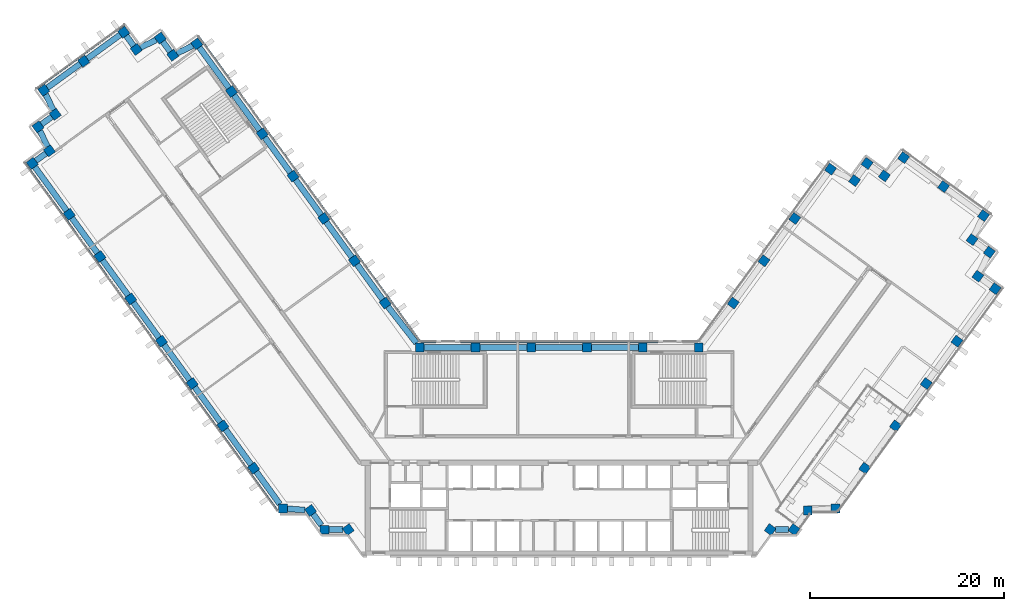
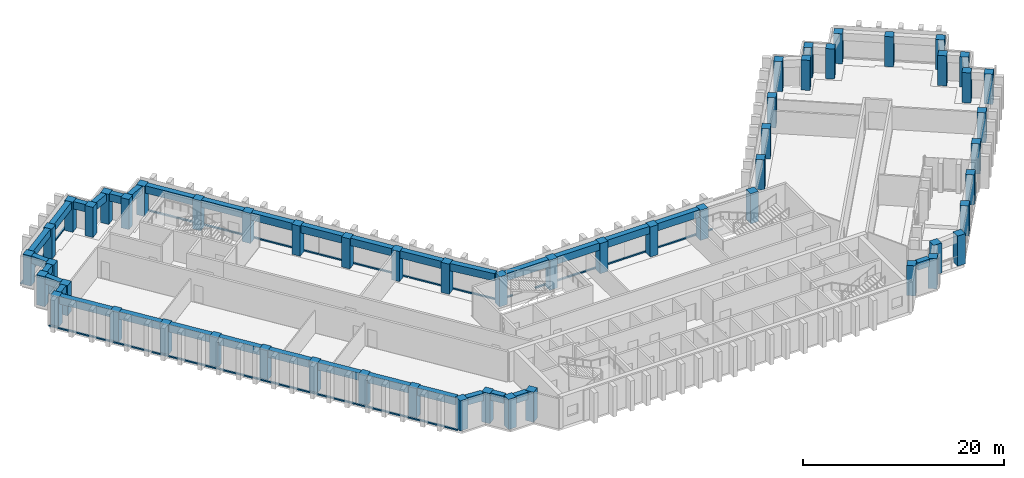
"""IFC4 building model written with IfcOpenShell, lengths in metres."""

from ifc_helpers import new_model, si_unit, direction, frame, origin, origin_2d, place, context, subcontext, project, spatial, rectangle, extrude, material, material_profile, profile_set, type_object, element, aggregate, save


model = new_model("IFC4")

# Units and contexts
model_context = context("Model", 3, precision=1e-05, world=origin(), true_north=direction((0.0, 1.0)))
body_context = subcontext(model_context, "Body", "Model", "MODEL_VIEW")
ifc_project = project(units=[si_unit("LENGTHUNIT", "METRE"), si_unit("AREAUNIT", "SQUARE_METRE"), si_unit("VOLUMEUNIT", "CUBIC_METRE"), si_unit("PLANEANGLEUNIT", "RADIAN"), si_unit("MASSUNIT", "GRAM", prefix="KILO")], contexts=[model_context])

# Site, building, storey
site_placement = place(None, origin())
site = spatial("IfcSite", under=ifc_project, at=site_placement, CompositionType="ELEMENT")
building_placement = place(site_placement, origin())
building = spatial("IfcBuilding", under=site, at=building_placement, Name="Quipu Civic Tower", CompositionType="ELEMENT")
storey_1_placement = place(building_placement, frame((0.0, 0.0, 105.0)))
storey_1 = spatial("IfcBuildingStorey", under=building, at=storey_1_placement, Name="L24", CompositionType="ELEMENT", Elevation=105.0)

# Columns
ifc_material_1 = material(Name="Concrete C60/75", Category="concrete")
ifc_material_profile_1 = material_profile(ifc_material_1, rectangle(XDim=0.89990234375, YDim=0.89990234375, at=origin_2d()), Name="RC900x900")
ifc_profile_set_1 = profile_set([ifc_material_profile_1], Name="Concrete C60/75")
column_type = type_object("IfcColumnType", Name="Perimeter column RC 900x900 C60/75", PredefinedType="COLUMN", material=ifc_profile_set_1)
for number, where, z_axis, x_axis, name in (
    (1, (-17.9736328125, 15.074951171875, 0.0), (0.0, 0.0, 1.0), (-0.587785252292, 0.809016994375, 0.0), "Column L24 W-IN-01"),
    (2, (-21.1474609375, 19.44384765625, 0.0), (0.0, 0.0, 1.0), (-0.587785252292, 0.809016994375, 0.0), "Column L24 W-IN-02"),
    (3, (-24.3212890625, 23.8125, 0.0), (0.0, 0.0, 1.0), (-0.587785252292, 0.809016994375, 0.0), "Column L24 W-IN-03"),
    (4, (-27.4951171875, 28.181396484375, 0.0), (0.0, 0.0, 1.0), (-0.587785252292, 0.809016994375, 0.0), "Column L24 W-IN-04"),
    (5, (-30.6689453125, 32.55029296875, 0.0), (0.0, 0.0, 1.0), (-0.587785252292, 0.809016994375, 0.0), "Column L24 W-IN-05"),
    (6, (-33.843017578125, 36.919189453125, 0.0), (0.0, 0.0, 1.0), (-0.587785252292, 0.809016994375, 0.0), "Column L24 W-IN-06"),
    (7, (-37.425048828125, 41.85009765625, 0.0), (0.0, 0.0, 1.0), (-0.587785252292, 0.809016994375, 0.0), "Column L24 T-Wi.0-W50"),
    (8, (-39.905517578125, 40.666015625, 0.0), (0.0, 0.0, 1.0), (-0.587785252292, 0.809016994375, 0.0), "Column L24 T-Wi.1-W50"),
    (9, (-41.199951171875, 42.445068359375, 0.0), (0.0, 0.0, 1.0), (-0.587785252292, 0.809016994375, 0.0), "Column L24 T-Wi.2-W50"),
    (10, (-43.674560546875, 41.264892578125, 0.0), (0.0, 0.0, 1.0), (-0.809016994375, -0.587785252292, 0.0), "Column L24 T-Wi.3-W50"),
    (11, (-44.969970703125, 43.044921875, 0.0), (0.0, 0.0, 1.0), (-0.809016994375, -0.587785252292, 0.0), "Column L24 T-Wi.4-W50"),
    (12, (-49.095703125, 40.046875, 0.0), (0.0, 0.0, 1.0), (-0.809016994375, -0.587785252292, 0.0), "Column L24 TIP-W-01-W50"),
    (13, (-53.219970703125, 37.050048828125, 0.0), (0.0, 0.0, 1.0), (0.587785252292, -0.809016994375, 0.0), "Column L24 T-Wo.0-W50"),
    (14, (-52.038818359375, 34.571044921875, 0.0), (0.0, 0.0, 1.0), (-0.809016994375, -0.587785252292, 0.0), "Column L24 T-Wo.1-W50"),
    (15, (-53.820068359375, 33.27490234375, 0.0), (0.0, 0.0, 1.0), (0.587785252292, -0.809016994375, 0.0), "Column L24 T-Wo.2-W50"),
    (16, (-52.635986328125, 30.799560546875, 0.0), (0.0, 0.0, 1.0), (-0.809016994375, -0.587785252292, 0.0), "Column L24 T-Wo.3-W50"),
    (17, (-54.4150390625, 29.5048828125, 0.0), (0.0, 0.0, 1.0), (0.587785252292, -0.809016994375, 0.0), "Column L24 T-Wo.4-W50"),
    (18, (-50.59228515625, 24.243408203125, 0.0), (0.0, 0.0, 1.0), (0.587785252292, -0.809016994375, 0.0), "Column L24 W-OUT-07"),
    (19, (-47.41845703125, 19.874755859375, 0.0), (0.0, 0.0, 1.0), (0.587785252292, -0.809016994375, 0.0), "Column L24 W-OUT-06"),
    (20, (-44.244384765625, 15.506103515625, 0.0), (0.0, 0.0, 1.0), (0.587785252292, -0.809016994375, 0.0), "Column L24 W-OUT-05"),
    (21, (-41.0703125, 11.137451171875, 0.0), (0.0, 0.0, 1.0), (0.587785252292, -0.809016994375, 0.0), "Column L24 W-OUT-04"),
    (22, (-37.896240234375, 6.768798828125, 0.0), (0.0, 0.0, 1.0), (0.587785252292, -0.809016994375, 0.0), "Column L24 W-OUT-03"),
    (23, (-34.722412109375, 2.39990234375, 0.0), (0.0, 0.0, 1.0), (0.587785252292, -0.809016994375, 0.0), "Column L24 W-OUT-02"),
    (24, (-31.54833984375, -1.96875, 0.0), (0.0, 0.0, 1.0), (0.587785252292, -0.809016994375, 0.0), "Column L24 W-OUT-01"),
    (25, (-28.52490234375, -6.1298828125, 0.0), (0.0, 0.0, 1.0), (1.0, 0.0, 0.0), "Column L24 J-Wo.0"),
    (26, (-25.67431640625, -6.3369140625, 0.0), (0.0, 0.0, 1.0), (0.587785252292, -0.809016994375, 0.0), "Column L24 J-Wo.1"),
    (27, (-24.235107421875, -8.31494140625, 0.0), (0.0, 0.0, 1.0), (1.0, 0.0, 0.0), "Column L24 J-Wo.2"),
    (28, (-21.791748046875, -8.31494140625, 0.0), (0.0, 0.0, 1.0), (0.587785252292, -0.809016994375, 0.0), "Column L24 J-Wo.3"),
    (29, (21.791748046875, -8.31494140625, 0.0), (0.0, 0.0, 1.0), (0.587785252292, 0.809016994375, 0.0), "Column L24 J-Eo.1"),
    (30, (24.235107421875, -8.31494140625, 0.0), (0.0, 0.0, 1.0), (0.587785252292, 0.809016994375, 0.0), "Column L24 J-Eo.2"),
    (31, (25.67431640625, -6.3369140625, 0.0), (0.0, 0.0, 1.0), (1.0, 0.0, 0.0), "Column L24 J-Eo.3"),
    (32, (28.52490234375, -6.1298828125, 0.0), (0.0, 0.0, 1.0), (1.0, 0.0, 0.0), "Column L24 J-Eo.4"),
    (33, (31.54833984375, -1.96875, 0.0), (0.0, 0.0, 1.0), (0.587785252292, 0.809016994375, 0.0), "Column L24 E-OUT-01"),
    (34, (34.722412109375, 2.39990234375, 0.0), (0.0, 0.0, 1.0), (0.587785252292, 0.809016994375, 0.0), "Column L24 E-OUT-02"),
    (35, (37.896240234375, 6.768798828125, 0.0), (0.0, 0.0, 1.0), (0.587785252292, 0.809016994375, 0.0), "Column L24 E-OUT-03"),
    (36, (41.0703125, 11.137451171875, 0.0), (0.0, 0.0, 1.0), (0.587785252292, 0.809016994375, 0.0), "Column L24 E-OUT-04"),
    (37, (45.010009765625, 16.56005859375, 0.0), (0.0, 0.0, 1.0), (0.587785252292, 0.809016994375, 0.0), "Column L24 T-Eo.0-E34"),
    (38, (43.23095703125, 17.8544921875, 0.0), (0.0, 0.0, 1.0), (0.587785252292, 0.809016994375, 0.0), "Column L24 T-Eo.1-E34"),
    (39, (44.4150390625, 20.3349609375, 0.0), (0.0, 0.0, 1.0), (0.587785252292, 0.809016994375, 0.0), "Column L24 T-Eo.2-E34"),
    (40, (42.635009765625, 21.626220703125, 0.0), (0.0, 0.0, 1.0), (-0.809016994375, 0.587785252292, 0.0), "Column L24 T-Eo.3-E34"),
    (41, (43.81494140625, 24.10498046875, 0.0), (0.0, 0.0, 1.0), (-0.809016994375, 0.587785252292, 0.0), "Column L24 T-Eo.4-E34"),
    (42, (39.690673828125, 27.10205078125, 0.0), (0.0, 0.0, 1.0), (-0.809016994375, 0.587785252292, 0.0), "Column L24 TIP-E-01-E34"),
    (43, (35.56494140625, 30.10009765625, 0.0), (0.0, 0.0, 1.0), (-0.587785252292, -0.809016994375, 0.0), "Column L24 T-Ei.0-E34"),
    (44, (33.573974609375, 28.20947265625, 0.0), (0.0, 0.0, 1.0), (-0.809016994375, 0.587785252292, 0.0), "Column L24 T-Ei.1-E34"),
    (45, (31.794921875, 29.5, 0.0), (0.0, 0.0, 1.0), (-0.587785252292, -0.809016994375, 0.0), "Column L24 T-Ei.2-E34"),
    (46, (30.498779296875, 27.72265625, 0.0), (0.0, 0.0, 1.0), (-0.809016994375, 0.587785252292, 0.0), "Column L24 T-Ei.3-E34"),
    (47, (28.02001953125, 28.905029296875, 0.0), (0.0, 0.0, 1.0), (-0.809016994375, 0.587785252292, 0.0), "Column L24 T-Ei.4-E34"),
    (48, (24.3212890625, 23.8125, 0.0), (0.0, 0.0, 1.0), (-0.587785252292, -0.809016994375, 0.0), "Column L24 E-IN-03"),
    (49, (21.1474609375, 19.44384765625, 0.0), (0.0, 0.0, 1.0), (-0.587785252292, -0.809016994375, 0.0), "Column L24 E-IN-02"),
    (50, (17.9736328125, 15.074951171875, 0.0), (0.0, 0.0, 1.0), (-0.587785252292, -0.809016994375, 0.0), "Column L24 E-IN-01"),
    (51, (14.395263671875, 10.5, 0.0), (0.0, 0.0, 1.0), (-1.0, 0.0, 0.0), "Column L24 J-Ei.0"),
    (52, (8.63720703125, 10.5, 0.0), (0.0, 0.0, 1.0), (-1.0, 0.0, 0.0), "Column L24 FRONT-01"),
    (53, (2.87890625, 10.5, 0.0), (0.0, 0.0, 1.0), (-1.0, 0.0, 0.0), "Column L24 FRONT-02"),
    (54, (-2.87890625, 10.5, 0.0), (0.0, 0.0, 1.0), (-1.0, 0.0, 0.0), "Column L24 FRONT-03"),
    (55, (-8.63720703125, 10.5, 0.0), (0.0, 0.0, 1.0), (-1.0, 0.0, 0.0), "Column L24 FRONT-04"),
    (56, (-14.395263671875, 10.5, 0.0), (0.0, 0.0, 1.0), (-1.0, 0.0, 0.0), "Column L24 J-Wi.0"),
):
    element("IfcColumn", number, at=place(storey_1_placement, frame(where, z_axis=z_axis, x_axis=x_axis)), inside=storey_1, type_object=column_type, Name=name, PredefinedType="COLUMN", context=body_context, shape_type="SweptSolid", body=[
        extrude(rectangle(XDim=0.89990234375, YDim=0.89990234375, at=origin_2d()), origin(), (0.0, 0.0, 1.0), 3.64990234375),
    ])

# Beams
ifc_material_2 = material(Name="Concrete C50/60", Category="concrete")
ifc_material_profile_2 = material_profile(ifc_material_2, rectangle(XDim=0.60009765625, YDim=0.89990234375, at=origin_2d()), Name="RC600x900")
ifc_profile_set_2 = profile_set([ifc_material_profile_2], Name="Concrete C50/60")
beam_type = type_object("IfcBeamType", Name="Spandrel beam RC 600x900 C50/60", PredefinedType="SPANDREL", material=ifc_profile_set_2)
for number, where, z_axis, x_axis, name in (
    (57, (-18.238037109375, 15.43896484375, 3.199951171875), (-0.587716763865, 0.809066749701, 0.0), (-0.809066749701, -0.587716763865, 0.0), "Spandrel beam L24 W-IN-01 to W-IN-02"),
    (58, (-21.411865234375, 19.807861328125, 3.199951171875), (-0.587778073121, 0.809022210299, 0.0), (-0.809022210299, -0.587778073121, 0.0), "Spandrel beam L24 W-IN-02 to W-IN-03"),
    (59, (-24.585693359375, 24.1767578125, 3.199951171875), (-0.587778073121, 0.809022210299, 0.0), (-0.809022210299, -0.587778073121, 0.0), "Spandrel beam L24 W-IN-03 to W-IN-04"),
    (60, (-27.759765625, 28.545654296875, 3.199951171875), (-0.587742561851, 0.809048009076, 0.0), (-0.809048009076, -0.587742561851, 0.0), "Spandrel beam L24 W-IN-04 to W-IN-05"),
    (61, (-30.93359375, 32.914306640625, 3.199951171875), (-0.587716763865, 0.809066749701, 0.0), (-0.809066749701, -0.587716763865, 0.0), "Spandrel beam L24 W-IN-05 to W-IN-06"),
):
    element("IfcBeam", number, at=place(storey_1_placement, frame(where, z_axis=z_axis, x_axis=x_axis)), inside=storey_1, type_object=beam_type, Name=name, PredefinedType="SPANDREL", context=body_context, shape_type="SweptSolid", body=[
        extrude(rectangle(XDim=0.60009765625, YDim=0.89990234375, at=origin_2d()), origin(), (0.0, 0.0, 1.0), 4.5),
    ])
beam_1_placement = place(storey_1_placement, frame((-34.107421875, 37.283203125, 3.199951171875), z_axis=(-0.587732861365, 0.80905505602, 0.0), x_axis=(-0.80905505602, -0.587732861365, 0.0)))
element("IfcBeam", 62, at=beam_1_placement, inside=storey_1, type_object=beam_type, Name="Spandrel beam L24 W-IN-06 to T-Wi.0-W50", PredefinedType="SPANDREL", context=body_context, shape_type="SweptSolid", body=[
    extrude(rectangle(XDim=0.60009765625, YDim=0.89990234375, at=origin_2d()), origin(), (0.0, 0.0, 1.0), 5.194580078125),
])
beam_2_placement = place(storey_1_placement, frame((-37.837890625, 41.65283203125, 3.199951171875), z_axis=(-0.90245397739, -0.430786279601, 0.0), x_axis=(0.430786279601, -0.90245397739, 0.0)))
element("IfcBeam", 63, at=beam_2_placement, inside=storey_1, type_object=beam_type, Name="Spandrel beam L24 T-Wi.0-W50 to T-Wi.1-W50", PredefinedType="SPANDREL", context=body_context, shape_type="SweptSolid", body=[
    extrude(rectangle(XDim=0.60009765625, YDim=0.89990234375, at=origin_2d()), origin(), (0.0, 0.0, 1.0), 1.83349609375),
])
beam_3_placement = place(storey_1_placement, frame((-40.170166015625, 41.02978515625, 3.199951171875), z_axis=(-0.588461937499, 0.808524921146, 0.0), x_axis=(-0.808524921146, -0.588461937499, 0.0)))
element("IfcBeam", 64, at=beam_3_placement, inside=storey_1, type_object=beam_type, Name="Spandrel beam L24 T-Wi.1-W50 to T-Wi.2-W50", PredefinedType="SPANDREL", context=body_context, shape_type="SweptSolid", body=[
    extrude(rectangle(XDim=0.60009765625, YDim=0.89990234375, at=origin_2d()), origin(), (0.0, 0.0, 1.0), 1.30029296875),
])
beam_4_placement = place(storey_1_placement, frame((-41.613037109375, 42.248046875, 3.199951171875), z_axis=(-0.902613270121, -0.430452418511, 0.0), x_axis=(0.430452418511, -0.902613270121, 0.0)))
element("IfcBeam", 65, at=beam_4_placement, inside=storey_1, type_object=beam_type, Name="Spandrel beam L24 T-Wi.2-W50 to T-Wi.3-W50", PredefinedType="SPANDREL", context=body_context, shape_type="SweptSolid", body=[
    extrude(rectangle(XDim=0.60009765625, YDim=0.89990234375, at=origin_2d()), origin(), (0.0, 0.0, 1.0), 1.826416015625),
])
beam_5_placement = place(storey_1_placement, frame((-43.939453125, 41.628662109375, 3.199951171875), z_axis=(-0.588383572423, 0.808581951136, 0.0), x_axis=(-0.808581951136, -0.588383572423, 0.0)))
element("IfcBeam", 66, at=beam_5_placement, inside=storey_1, type_object=beam_type, Name="Spandrel beam L24 T-Wi.3-W50 to T-Wi.4-W50", PredefinedType="SPANDREL", context=body_context, shape_type="SweptSolid", body=[
    extrude(rectangle(XDim=0.60009765625, YDim=0.89990234375, at=origin_2d()), origin(), (0.0, 0.0, 1.0), 1.3017578125),
])
beam_6_placement = place(storey_1_placement, frame((-45.333984375, 42.780517578125, 3.199951171875), z_axis=(-0.808969789945, -0.58785021813, 0.0), x_axis=(0.58785021813, -0.808969789945, 0.0)))
element("IfcBeam", 67, at=beam_6_placement, inside=storey_1, type_object=beam_type, Name="Spandrel beam L24 T-Wi.4-W50 to TIP-W-01-W50", PredefinedType="SPANDREL", context=body_context, shape_type="SweptSolid", body=[
    extrude(rectangle(XDim=0.60009765625, YDim=0.89990234375, at=origin_2d()), origin(), (0.0, 0.0, 1.0), 4.199951171875),
])
beam_7_placement = place(storey_1_placement, frame((-49.459716796875, 39.782470703125, 3.199951171875), z_axis=(-0.808959834407, -0.587863918196, 0.0), x_axis=(0.587863918196, -0.808959834407, 0.0)))
element("IfcBeam", 68, at=beam_7_placement, inside=storey_1, type_object=beam_type, Name="Spandrel beam L24 TIP-W-01-W50 to T-Wo.0-W50", PredefinedType="SPANDREL", context=body_context, shape_type="SweptSolid", body=[
    extrude(rectangle(XDim=0.60009765625, YDim=0.89990234375, at=origin_2d()), origin(), (0.0, 0.0, 1.0), 4.1982421875),
])
beam_8_placement = place(storey_1_placement, frame((-53.023193359375, 36.63671875, 3.199951171875), z_axis=(0.430166558323, -0.902749540072, 0.0), x_axis=(0.902749540072, 0.430166558323, 0.0)))
element("IfcBeam", 69, at=beam_8_placement, inside=storey_1, type_object=beam_type, Name="Spandrel beam L24 T-Wo.0-W50 to T-Wo.1-W50", PredefinedType="SPANDREL", context=body_context, shape_type="SweptSolid", body=[
    extrude(rectangle(XDim=0.60009765625, YDim=0.89990234375, at=origin_2d()), origin(), (0.0, 0.0, 1.0), 1.830322265625),
])
beam_9_placement = place(storey_1_placement, frame((-52.40283203125, 34.306396484375, 3.199951171875), z_axis=(-0.808509099783, -0.588483674853, 0.0), x_axis=(0.588483674853, -0.808509099783, 0.0)))
element("IfcBeam", 70, at=beam_9_placement, inside=storey_1, type_object=beam_type, Name="Spandrel beam L24 T-Wo.1-W50 to T-Wo.2-W50", PredefinedType="SPANDREL", context=body_context, shape_type="SweptSolid", body=[
    extrude(rectangle(XDim=0.60009765625, YDim=0.89990234375, at=origin_2d()), origin(), (0.0, 0.0, 1.0), 1.302734375),
])
beam_10_placement = place(storey_1_placement, frame((-53.62255859375, 32.8623046875, 3.199951171875), z_axis=(0.431446050156, -0.902138739776, 0.0), x_axis=(0.902138739776, 0.431446050156, 0.0)))
element("IfcBeam", 71, at=beam_10_placement, inside=storey_1, type_object=beam_type, Name="Spandrel beam L24 T-Wo.2-W50 to T-Wo.3-W50", PredefinedType="SPANDREL", context=body_context, shape_type="SweptSolid", body=[
    extrude(rectangle(XDim=0.60009765625, YDim=0.89990234375, at=origin_2d()), origin(), (0.0, 0.0, 1.0), 1.828857421875),
])
beam_11_placement = place(storey_1_placement, frame((-53.0, 30.53466796875, 3.199951171875), z_axis=(-0.808549242423, -0.588428519514, 0.0), x_axis=(0.588428519514, -0.808549242423, 0.0)))
element("IfcBeam", 72, at=beam_11_placement, inside=storey_1, type_object=beam_type, Name="Spandrel beam L24 T-Wo.3-W50 to T-Wo.4-W50", PredefinedType="SPANDREL", context=body_context, shape_type="SweptSolid", body=[
    extrude(rectangle(XDim=0.60009765625, YDim=0.89990234375, at=origin_2d()), origin(), (0.0, 0.0, 1.0), 1.2998046875),
])
beam_12_placement = place(storey_1_placement, frame((-54.150390625, 29.140869140625, 3.199951171875), z_axis=(0.587772657145, -0.809026145135, 0.0), x_axis=(0.809026145135, 0.587772657145, 0.0)))
element("IfcBeam", 73, at=beam_12_placement, inside=storey_1, type_object=beam_type, Name="Spandrel beam L24 T-Wo.4-W50 to W-OUT-07", PredefinedType="SPANDREL", context=body_context, shape_type="SweptSolid", body=[
    extrude(rectangle(XDim=0.60009765625, YDim=0.89990234375, at=origin_2d()), origin(), (0.0, 0.0, 1.0), 5.603271484375),
])
beam_13_placement = place(storey_1_placement, frame((-50.327880859375, 23.87939453125, 3.199951171875), z_axis=(0.587778073121, -0.809022210299, 0.0), x_axis=(0.809022210299, 0.587778073121, 0.0)))
element("IfcBeam", 74, at=beam_13_placement, inside=storey_1, type_object=beam_type, Name="Spandrel beam L24 W-OUT-07 to W-OUT-06", PredefinedType="SPANDREL", context=body_context, shape_type="SweptSolid", body=[
    extrude(rectangle(XDim=0.60009765625, YDim=0.89990234375, at=origin_2d()), origin(), (0.0, 0.0, 1.0), 4.5),
])
beam_14_placement = place(storey_1_placement, frame((-47.15380859375, 19.5107421875, 3.199951171875), z_axis=(0.587803872688, -0.809003465539, 0.0), x_axis=(0.809003465539, 0.587803872688, 0.0)))
element("IfcBeam", 75, at=beam_14_placement, inside=storey_1, type_object=beam_type, Name="Spandrel beam L24 W-OUT-06 to W-OUT-05", PredefinedType="SPANDREL", context=body_context, shape_type="SweptSolid", body=[
    extrude(rectangle(XDim=0.60009765625, YDim=0.89990234375, at=origin_2d()), origin(), (0.0, 0.0, 1.0), 4.499755859375),
])
for number, where, z_axis, x_axis, name in (
    (76, (-43.97998046875, 15.14208984375, 3.199951171875), (0.587778073121, -0.809022210299, 0.0), (0.809022210299, 0.587778073121, 0.0), "Spandrel beam L24 W-OUT-05 to W-OUT-04"),
    (77, (-40.805908203125, 10.7734375, 3.199951171875), (0.587778073121, -0.809022210299, 0.0), (0.809022210299, 0.587778073121, 0.0), "Spandrel beam L24 W-OUT-04 to W-OUT-03"),
):
    element("IfcBeam", number, at=place(storey_1_placement, frame(where, z_axis=z_axis, x_axis=x_axis)), inside=storey_1, type_object=beam_type, Name=name, PredefinedType="SPANDREL", context=body_context, shape_type="SweptSolid", body=[
        extrude(rectangle(XDim=0.60009765625, YDim=0.89990234375, at=origin_2d()), origin(), (0.0, 0.0, 1.0), 4.5),
    ])
beam_15_placement = place(storey_1_placement, frame((-37.6318359375, 6.404541015625, 3.199951171875), z_axis=(0.587803872688, -0.809003465539, 0.0), x_axis=(0.809003465539, 0.587803872688, 0.0)))
element("IfcBeam", 78, at=beam_15_placement, inside=storey_1, type_object=beam_type, Name="Spandrel beam L24 W-OUT-03 to W-OUT-02", PredefinedType="SPANDREL", context=body_context, shape_type="SweptSolid", body=[
    extrude(rectangle(XDim=0.60009765625, YDim=0.89990234375, at=origin_2d()), origin(), (0.0, 0.0, 1.0), 4.499755859375),
])
beam_16_placement = place(storey_1_placement, frame((-34.457763671875, 2.035888671875, 3.199951171875), z_axis=(0.587778073121, -0.809022210299, 0.0), x_axis=(0.809022210299, 0.587778073121, 0.0)))
element("IfcBeam", 79, at=beam_16_placement, inside=storey_1, type_object=beam_type, Name="Spandrel beam L24 W-OUT-02 to W-OUT-01", PredefinedType="SPANDREL", context=body_context, shape_type="SweptSolid", body=[
    extrude(rectangle(XDim=0.60009765625, YDim=0.89990234375, at=origin_2d()), origin(), (0.0, 0.0, 1.0), 4.5),
])
beam_17_placement = place(storey_1_placement, frame((-31.28369140625, -2.332763671875, 3.199951171875), z_axis=(0.587750565781, -0.809042194464, 0.0), x_axis=(0.809042194464, 0.587750565781, 0.0)))
element("IfcBeam", 80, at=beam_17_placement, inside=storey_1, type_object=beam_type, Name="Spandrel beam L24 W-OUT-01 to J-Wo.0", PredefinedType="SPANDREL", context=body_context, shape_type="SweptSolid", body=[
    extrude(rectangle(XDim=0.60009765625, YDim=0.89990234375, at=origin_2d()), origin(), (0.0, 0.0, 1.0), 4.13720703125),
])
beam_18_placement = place(storey_1_placement, frame((-28.074951171875, -6.16259765625, 3.199951171875), z_axis=(0.997367229877, -0.072516265536, 0.0), x_axis=(0.072516265536, 0.997367229877, 0.0)))
element("IfcBeam", 81, at=beam_18_placement, inside=storey_1, type_object=beam_type, Name="Spandrel beam L24 J-Wo.0 to J-Wo.1", PredefinedType="SPANDREL", context=body_context, shape_type="SweptSolid", body=[
    extrude(rectangle(XDim=0.60009765625, YDim=0.89990234375, at=origin_2d()), origin(), (0.0, 0.0, 1.0), 1.818115234375),
])
beam_19_placement = place(storey_1_placement, frame((-25.40966796875, -6.700927734375, 3.199951171875), z_axis=(0.588433824377, -0.808545381738, 0.0), x_axis=(0.808545381738, 0.588433824377, 0.0)))
element("IfcBeam", 82, at=beam_19_placement, inside=storey_1, type_object=beam_type, Name="Spandrel beam L24 J-Wo.1 to J-Wo.2", PredefinedType="SPANDREL", context=body_context, shape_type="SweptSolid", body=[
    extrude(rectangle(XDim=0.60009765625, YDim=0.89990234375, at=origin_2d()), origin(), (0.0, 0.0, 1.0), 1.439697265625),
])
beam_20_placement = place(storey_1_placement, frame((-23.784912109375, -8.31494140625, 3.199951171875), z_axis=(1.0, 0.0, 0.0), x_axis=(0.0, 1.0, 0.0)))
element("IfcBeam", 83, at=beam_20_placement, inside=storey_1, type_object=beam_type, Name="Spandrel beam L24 J-Wo.2 to J-Wo.3", PredefinedType="SPANDREL", context=body_context, shape_type="SweptSolid", body=[
    extrude(rectangle(XDim=0.60009765625, YDim=0.89990234375, at=origin_2d()), origin(), (0.0, 0.0, 1.0), 1.436767578125),
])
beam_21_placement = place(storey_1_placement, frame((22.34814453125, -8.31494140625, 3.199951171875), z_axis=(1.0, 0.0, 0.0), x_axis=(0.0, 1.0, 0.0)))
element("IfcBeam", 84, at=beam_21_placement, inside=storey_1, type_object=beam_type, Name="Spandrel beam L24 J-Eo.1 to J-Eo.2", PredefinedType="SPANDREL", context=body_context, shape_type="SweptSolid", body=[
    extrude(rectangle(XDim=0.60009765625, YDim=0.89990234375, at=origin_2d()), origin(), (0.0, 0.0, 1.0), 1.33056640625),
])
for number, where, z_axis, x_axis, name in (
    (85, (8.18701171875, 10.5, 3.199951171875), (-1.0, 0.0, 0.0), (0.0, -1.0, 0.0), "Spandrel beam L24 FRONT-01 to FRONT-02"),
    (86, (2.428955078125, 10.5, 3.199951171875), (-1.0, 0.0, 0.0), (0.0, -1.0, 0.0), "Spandrel beam L24 FRONT-02 to FRONT-03"),
    (87, (-3.3291015625, 10.5, 3.199951171875), (-1.0, 0.0, 0.0), (0.0, -1.0, 0.0), "Spandrel beam L24 FRONT-03 to FRONT-04"),
):
    element("IfcBeam", number, at=place(storey_1_placement, frame(where, z_axis=z_axis, x_axis=x_axis)), inside=storey_1, type_object=beam_type, Name=name, PredefinedType="SPANDREL", context=body_context, shape_type="SweptSolid", body=[
        extrude(rectangle(XDim=0.60009765625, YDim=0.89990234375, at=origin_2d()), origin(), (0.0, 0.0, 1.0), 4.85791015625),
    ])
beam_22_placement = place(storey_1_placement, frame((-9.087158203125, 10.5, 3.199951171875), z_axis=(-1.0, 0.0, 0.0), x_axis=(0.0, -1.0, 0.0)))
element("IfcBeam", 88, at=beam_22_placement, inside=storey_1, type_object=beam_type, Name="Spandrel beam L24 FRONT-04 to J-Wi.0", PredefinedType="SPANDREL", context=body_context, shape_type="SweptSolid", body=[
    extrude(rectangle(XDim=0.60009765625, YDim=0.89990234375, at=origin_2d()), origin(), (0.0, 0.0, 1.0), 4.858154296875),
])
beam_23_placement = place(storey_1_placement, frame((-14.7470703125, 10.949951171875, 3.199951171875), z_axis=(-0.616123961998, 0.787649200756, 0.0), x_axis=(-0.787649200756, -0.616123961998, 0.0)))
element("IfcBeam", 89, at=beam_23_placement, inside=storey_1, type_object=beam_type, Name="Spandrel beam L24 J-Wi.0 to W-IN-01", PredefinedType="SPANDREL", context=body_context, shape_type="SweptSolid", body=[
    extrude(rectangle(XDim=0.60009765625, YDim=0.89990234375, at=origin_2d()), origin(), (0.0, 0.0, 1.0), 4.78662109375),
])

# Storey
storey_2_placement = place(building_placement, frame((0.0, 0.0, 101.0)))
storey_2 = spatial("IfcBuildingStorey", under=building, at=storey_2_placement, Name="L23", CompositionType="ELEMENT", Elevation=101.0)

# Curtain wall, members
ifc_material_3 = material(Name="Insulated glass unit", Category="glass")
curtain_wall_type = type_object("IfcCurtainWallType", Name="Office curtain wall CW1", PredefinedType="NOTDEFINED", material=ifc_material_3)
curtain_wall_1_placement = place(storey_2_placement, origin())
curtain_wall_1 = element("IfcCurtainWall", 90, at=curtain_wall_1_placement, inside=storey_2, type_object=curtain_wall_type, Name="Office curtain wall CW1 L22 run 10", PredefinedType="NOTDEFINED")
ifc_material_4 = material(Name="Anodised aluminium", Category="aluminium")
ifc_material_profile_3 = material_profile(ifc_material_4, rectangle(XDim=0.199951171875, YDim=0.159912109375, at=origin_2d()), Name="RECT 200x160")
ifc_profile_set_3 = profile_set([ifc_material_profile_3], Name="Anodised aluminium")
member_type = type_object("IfcMemberType", Name="Transom CW1", PredefinedType="USERDEFINED", material=ifc_profile_set_3)
member_1_placement = place(storey_1_placement, frame((-14.39111328125, 11.164794921875, 0.080078125), z_axis=(-0.58779220199, 0.809011945079, 0.0), x_axis=(-0.809011945079, -0.58779220199, 0.0)))
member_1 = element("IfcMember", 91, at=member_1_placement, inside=storey_1, type_object=member_type, Name="CW1 transom 1.3", ObjectType="TRANSOM", PredefinedType="USERDEFINED", context=body_context, shape_type="SweptSolid", body=[
    extrude(rectangle(XDim=0.199951171875, YDim=0.159912109375, at=origin_2d()), origin(), (0.0, 0.0, 1.0), 9.64111328125),
])
member_2_placement = place(storey_1_placement, frame((-20.105224609375, 19.029296875, 0.080078125), z_axis=(-0.587793764301, 0.80901080997, 0.0), x_axis=(-0.80901080997, -0.587793764301, 0.0)))
member_2 = element("IfcMember", 92, at=member_2_placement, inside=storey_1, type_object=member_type, Name="CW1 transom 2.3", ObjectType="TRANSOM", PredefinedType="USERDEFINED", context=body_context, shape_type="SweptSolid", body=[
    extrude(rectangle(XDim=0.199951171875, YDim=0.159912109375, at=origin_2d()), origin(), (0.0, 0.0, 1.0), 9.680908203125),
])
member_3_placement = place(storey_1_placement, frame((-25.842529296875, 26.926025390625, 0.080078125), z_axis=(-0.58778177227, 0.809019522748, 0.0), x_axis=(-0.809019522748, -0.58778177227, 0.0)))
member_3 = element("IfcMember", 93, at=member_3_placement, inside=storey_1, type_object=member_type, Name="CW1 transom 3.3", ObjectType="TRANSOM", PredefinedType="USERDEFINED", context=body_context, shape_type="SweptSolid", body=[
    extrude(rectangle(XDim=0.199951171875, YDim=0.159912109375, at=origin_2d()), origin(), (0.0, 0.0, 1.0), 9.68115234375),
])
member_4_placement = place(storey_1_placement, frame((-31.580078125, 34.822998046875, 0.080078125), z_axis=(-0.587775627857, 0.809023986849, 0.0), x_axis=(-0.809023986849, -0.587775627857, 0.0)))
member_4 = element("IfcMember", 94, at=member_4_placement, inside=storey_1, type_object=member_type, Name="CW1 transom 4.3", ObjectType="TRANSOM", PredefinedType="USERDEFINED", context=body_context, shape_type="SweptSolid", body=[
    extrude(rectangle(XDim=0.199951171875, YDim=0.159912109375, at=origin_2d()), origin(), (0.0, 0.0, 1.0), 9.64111328125),
])
aggregate(curtain_wall_1, [member_1, member_2, member_3, member_4])

# Curtain wall, member
curtain_wall_2_placement = place(storey_2_placement, origin())
curtain_wall_2 = element("IfcCurtainWall", 95, at=curtain_wall_2_placement, inside=storey_2, type_object=curtain_wall_type, Name="Office curtain wall CW1 L22 run 15", PredefinedType="NOTDEFINED")
member_5_placement = place(storey_1_placement, frame((-44.9013671875, 43.8349609375, 0.080078125), z_axis=(-0.809032792449, -0.587763507495, 0.0), x_axis=(0.587763507495, -0.809032792449, 0.0)))
member_5 = element("IfcMember", 96, at=member_5_placement, inside=storey_1, type_object=member_type, Name="CW1 transom 1.3", ObjectType="TRANSOM", PredefinedType="USERDEFINED", context=body_context, shape_type="SweptSolid", body=[
    extrude(rectangle(XDim=0.199951171875, YDim=0.159912109375, at=origin_2d()), origin(), (0.0, 0.0, 1.0), 11.239990234375),
])
aggregate(curtain_wall_2, [member_5])

# Curtain wall, members
curtain_wall_3_placement = place(storey_2_placement, origin())
curtain_wall_3 = element("IfcCurtainWall", 97, at=curtain_wall_3_placement, inside=storey_2, type_object=curtain_wall_type, Name="Office curtain wall CW1 L22 run 20", PredefinedType="NOTDEFINED")
member_6_placement = place(storey_1_placement, frame((-55.20703125, 29.573974609375, 0.080078125), z_axis=(0.587779179422, -0.809021406539, 0.0), x_axis=(0.809021406539, 0.587779179422, 0.0)))
member_6 = element("IfcMember", 98, at=member_6_placement, inside=storey_1, type_object=member_type, Name="CW1 transom 1.3", ObjectType="TRANSOM", PredefinedType="USERDEFINED", context=body_context, shape_type="SweptSolid", body=[
    extrude(rectangle(XDim=0.199951171875, YDim=0.159912109375, at=origin_2d()), origin(), (0.0, 0.0, 1.0), 11.02294921875),
])
member_7_placement = place(storey_1_placement, frame((-48.68115234375, 20.591552734375, 0.080078125), z_axis=(0.587795037589, -0.80900988485, 0.0), x_axis=(0.80900988485, 0.587795037589, 0.0)))
member_7 = element("IfcMember", 99, at=member_7_placement, inside=storey_1, type_object=member_type, Name="CW1 transom 2.3", ObjectType="TRANSOM", PredefinedType="USERDEFINED", context=body_context, shape_type="SweptSolid", body=[
    extrude(rectangle(XDim=0.199951171875, YDim=0.159912109375, at=origin_2d()), origin(), (0.0, 0.0, 1.0), 11.062744140625),
])
member_8_placement = place(storey_1_placement, frame((-42.131591796875, 11.576904296875, 0.080078125), z_axis=(0.587795037589, -0.80900988485, 0.0), x_axis=(0.80900988485, 0.587795037589, 0.0)))
member_8 = element("IfcMember", 100, at=member_8_placement, inside=storey_1, type_object=member_type, Name="CW1 transom 3.3", ObjectType="TRANSOM", PredefinedType="USERDEFINED", context=body_context, shape_type="SweptSolid", body=[
    extrude(rectangle(XDim=0.199951171875, YDim=0.159912109375, at=origin_2d()), origin(), (0.0, 0.0, 1.0), 11.062744140625),
])
member_9_placement = place(storey_1_placement, frame((-35.58203125, 2.562255859375, 0.080078125), z_axis=(0.587779179422, -0.809021406539, 0.0), x_axis=(0.809021406539, 0.587779179422, 0.0)))
member_9 = element("IfcMember", 101, at=member_9_placement, inside=storey_1, type_object=member_type, Name="CW1 transom 4.3", ObjectType="TRANSOM", PredefinedType="USERDEFINED", context=body_context, shape_type="SweptSolid", body=[
    extrude(rectangle(XDim=0.199951171875, YDim=0.159912109375, at=origin_2d()), origin(), (0.0, 0.0, 1.0), 11.02294921875),
])
aggregate(curtain_wall_3, [member_6, member_7, member_8, member_9])

curtain_wall_4_placement = place(storey_2_placement, origin())
curtain_wall_4 = element("IfcCurtainWall", 102, at=curtain_wall_4_placement, inside=storey_2, type_object=curtain_wall_type, Name="Office curtain wall CW1 L22 run 39", PredefinedType="NOTDEFINED")
member_10_placement = place(storey_1_placement, frame((10.18359375, 11.10009765625, 0.080078125), z_axis=(-1.0, 0.0, 0.0), x_axis=(0.0, -1.0, 0.0)))
member_10 = element("IfcMember", 103, at=member_10_placement, inside=storey_1, type_object=member_type, Name="CW1 transom 1.3", ObjectType="TRANSOM", PredefinedType="USERDEFINED", context=body_context, shape_type="SweptSolid", body=[
    extrude(rectangle(XDim=0.199951171875, YDim=0.159912109375, at=origin_2d()), origin(), (0.0, 0.0, 1.0), 10.1435546875),
])
member_11_placement = place(storey_1_placement, frame((-0.0400390625, 11.10009765625, 0.080078125), z_axis=(-1.0, 0.0, 0.0), x_axis=(0.0, -1.0, 0.0)))
member_11 = element("IfcMember", 104, at=member_11_placement, inside=storey_1, type_object=member_type, Name="CW1 transom 2.3", ObjectType="TRANSOM", PredefinedType="USERDEFINED", context=body_context, shape_type="SweptSolid", body=[
    extrude(rectangle(XDim=0.199951171875, YDim=0.159912109375, at=origin_2d()), origin(), (0.0, 0.0, 1.0), 10.1435546875),
])
aggregate(curtain_wall_4, [member_10, member_11])

# Curtain wall, member
curtain_wall_5_placement = place(storey_2_placement, origin())
curtain_wall_5 = element("IfcCurtainWall", 105, at=curtain_wall_5_placement, inside=storey_2, type_object=curtain_wall_type, Name="Office curtain wall CW1 L22 run 41", PredefinedType="NOTDEFINED")
member_12_placement = place(storey_1_placement, frame((-12.735107421875, 11.10009765625, 0.080078125), z_axis=(-1.0, 0.0, 0.0), x_axis=(0.0, -1.0, 0.0)))
member_12 = element("IfcMember", 106, at=member_12_placement, inside=storey_1, type_object=member_type, Name="CW1 transom 1.3", ObjectType="TRANSOM", PredefinedType="USERDEFINED", context=body_context, shape_type="SweptSolid", body=[
    extrude(rectangle(XDim=0.199951171875, YDim=0.159912109375, at=origin_2d()), origin(), (0.0, 0.0, 1.0), 1.529052734375),
])
aggregate(curtain_wall_5, [member_12])

save(model, "model.ifc")
